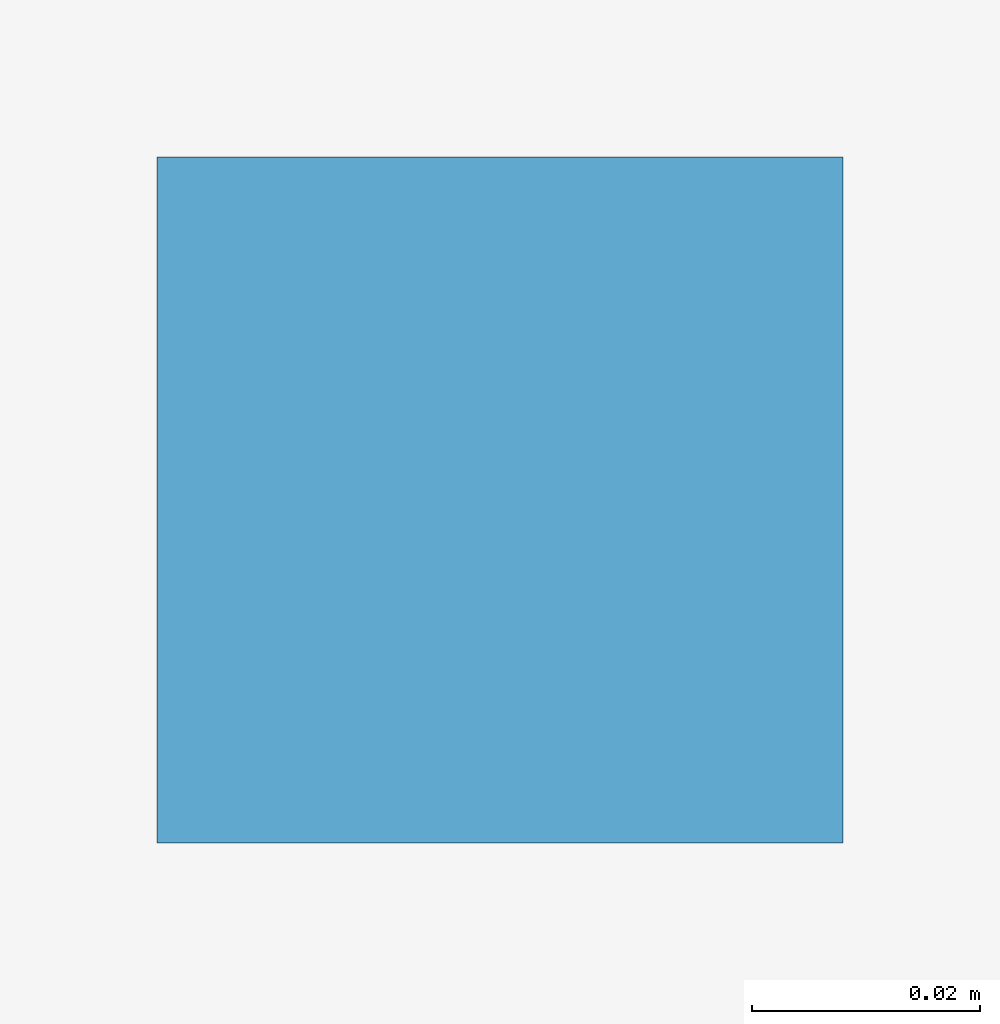
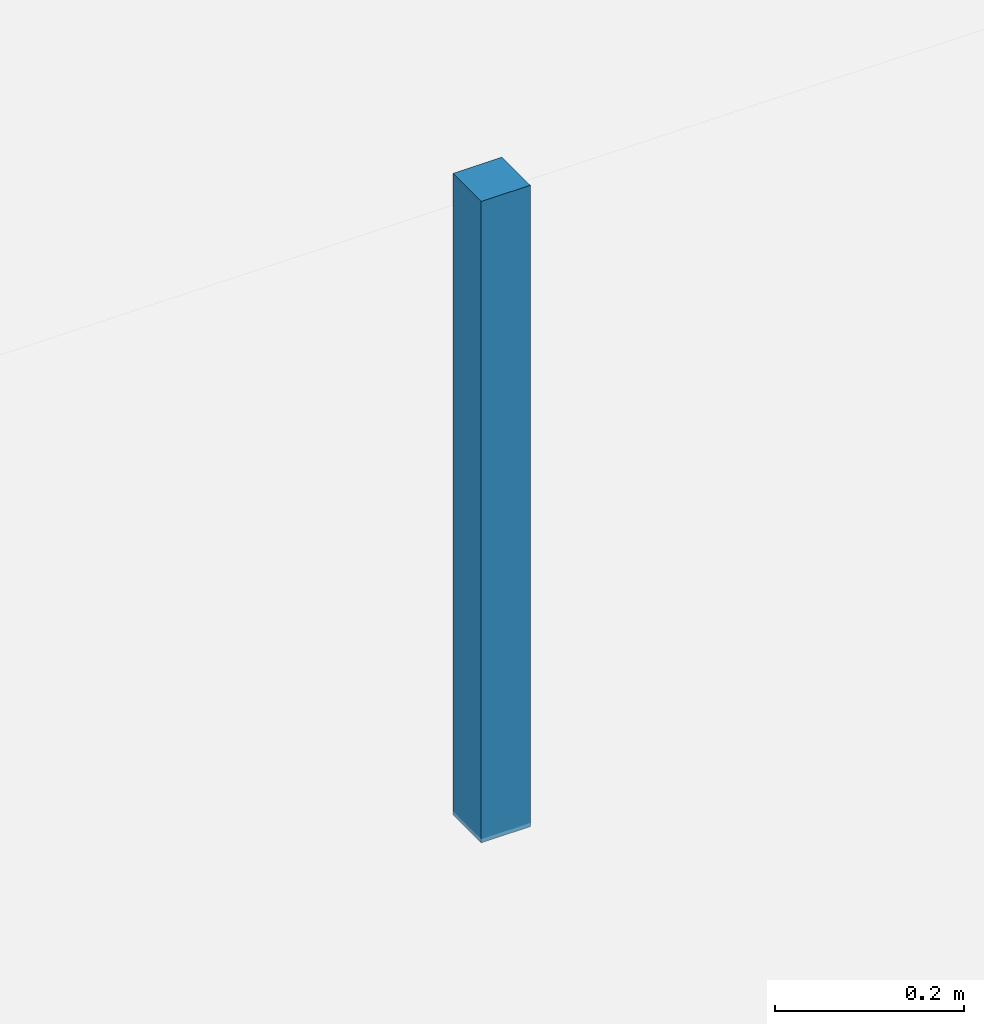
# One storey, part 95 of 107: 1 discrete accessory.
"""IFC4 building model written with IfcOpenShell, lengths in metres."""

from ifc_helpers import new_model, si_unit, derived_unit, direction, frame, origin, origin_2d, place, context, subcontext, project, spatial, rectangle, extrude, material, layer, layer_set, type_object, element, save


model = new_model("IFC4")

# Units and contexts
model_context = context("Model", 3, precision=1e-05, world=origin(), true_north=direction((0.0, 1.0)))
body_context = subcontext(model_context, "Body", "Model", "MODEL_VIEW")
ifc_project = project(units=[si_unit("LENGTHUNIT", "METRE"), si_unit("AREAUNIT", "SQUARE_METRE"), si_unit("VOLUMEUNIT", "CUBIC_METRE"), si_unit("PLANEANGLEUNIT", "RADIAN"), si_unit("MASSUNIT", "GRAM", prefix="KILO"), derived_unit("THERMALTRANSMITTANCEUNIT", [(si_unit("MASSUNIT", "GRAM", prefix="KILO"), 1), (si_unit("TIMEUNIT", "SECOND"), -3), (si_unit("THERMODYNAMICTEMPERATUREUNIT", "KELVIN"), -1)])], contexts=[model_context])

# Site, building, storey
site_placement = place(None, origin())
site = spatial("IfcSite", under=ifc_project, at=site_placement, CompositionType="ELEMENT")
building_placement = place(site_placement, origin())
building = spatial("IfcBuilding", under=site, at=building_placement, Name="Makaiwela Harbour Ferry Terminal", CompositionType="ELEMENT")
storey_placement = place(building_placement, frame((0.0, 0.0, 9.60009765625)))
storey = spatial("IfcBuildingStorey", under=building, at=storey_placement, Name="L02", CompositionType="ELEMENT", Elevation=9.60009765625)

# Discrete accessory
ifc_material = material(Name="Marine grade 316L brushed stainless steel", Category="steel")
ifc_layer = layer(ifc_material, 1.0)
ifc_layer_set = layer_set([ifc_layer], Name="Marine grade 316L brushed stainless steel")
discrete_accessory_type = type_object("IfcDiscreteAccessoryType", Name="INT-ACC-HNG", PredefinedType="BRACKET", material=ifc_layer_set)
discrete_accessory_placement = place(storey_placement, frame((26.859375, 75.814697265625, 3.134765625), z_axis=(0.0, 0.0, 1.0), x_axis=(1.0, 0.0, 0.0)))
element("IfcDiscreteAccessory", 1, at=discrete_accessory_placement, inside=storey, type_object=discrete_accessory_type, Name="Ceiling Suspension Bracket HNG-047", PredefinedType="BRACKET", context=body_context, shape_type="SweptSolid", body=[
    extrude(rectangle(XDim=0.06005859375, YDim=0.06005859375, at=origin_2d()), origin(), (0.0, 0.0, 1.0), 0.830078125),
])

save(model, "model.ifc")
